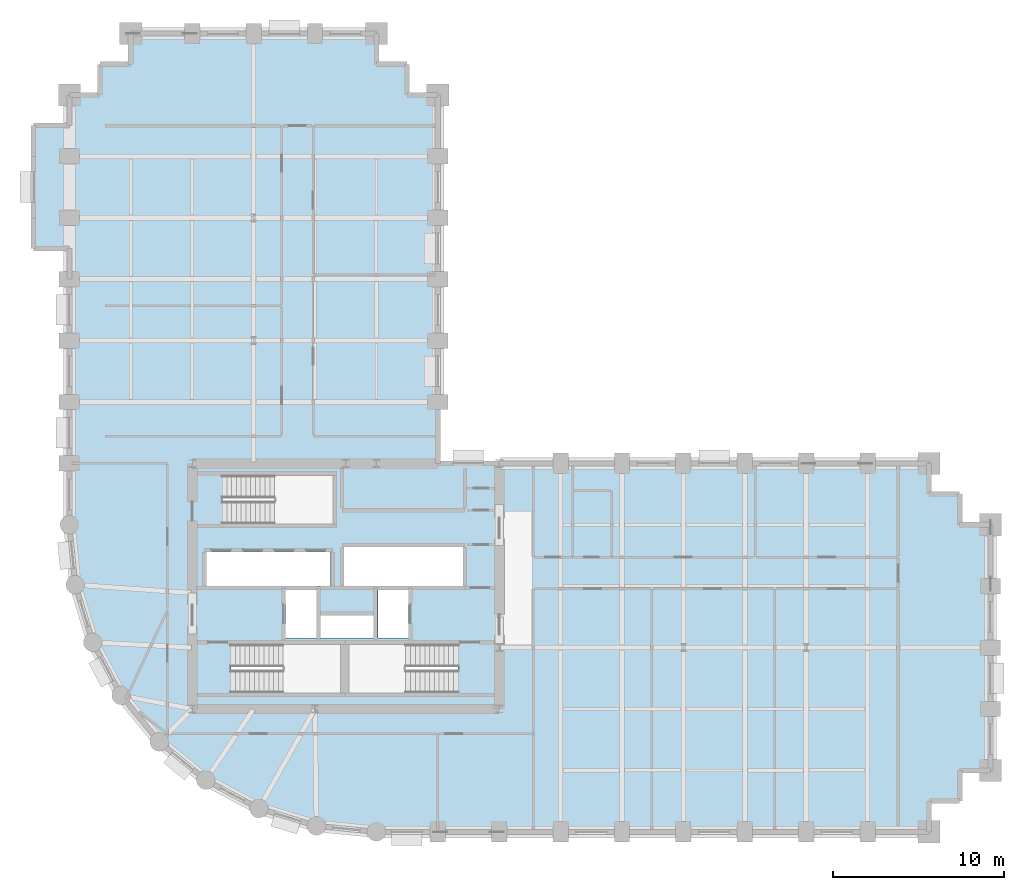
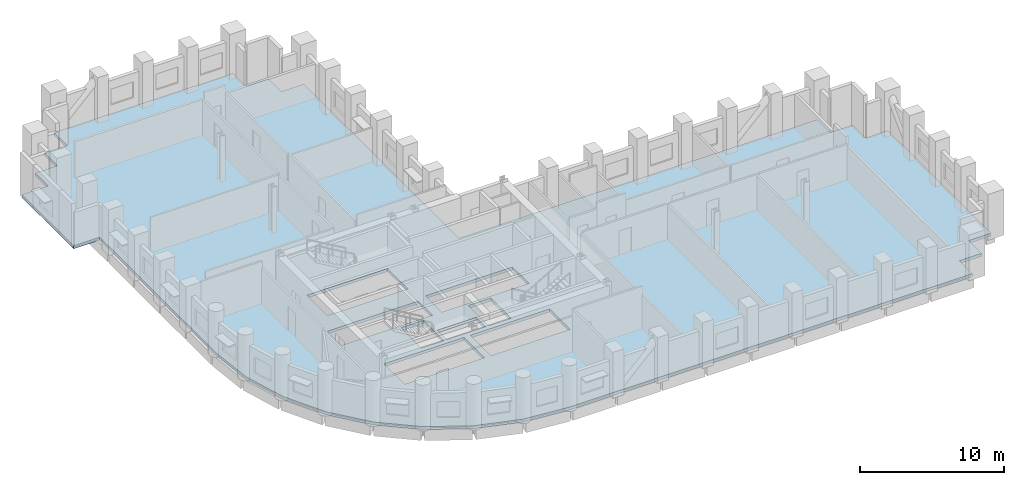
# One storey, part 4 of 11: 1 slab.
"""IFC4 building model written with IfcOpenShell, lengths in metres."""

from ifc_helpers import new_model, si_unit, direction, frame, origin, place, context, subcontext, project, spatial, polyline, outline, extrude, material, layer, layer_set, type_object, element, save


model = new_model("IFC4")

# Units and contexts
model_context = context("Model", 3, precision=1e-05, world=origin(), true_north=direction((0.0, 1.0)))
body_context = subcontext(model_context, "Body", "Model", "MODEL_VIEW")
ifc_project = project(units=[si_unit("LENGTHUNIT", "METRE"), si_unit("AREAUNIT", "SQUARE_METRE"), si_unit("VOLUMEUNIT", "CUBIC_METRE"), si_unit("PLANEANGLEUNIT", "RADIAN"), si_unit("MASSUNIT", "GRAM", prefix="KILO")], contexts=[model_context])

# Site, building, storey
site_placement = place(None, origin())
site = spatial("IfcSite", under=ifc_project, at=site_placement, CompositionType="ELEMENT")
building_placement = place(site_placement, origin())
building = spatial("IfcBuilding", under=site, at=building_placement, Name="Solnavia Interchange Tower", CompositionType="ELEMENT")
storey_placement = place(building_placement, frame((0.0, 0.0, 55.199951171875)))
storey = spatial("IfcBuildingStorey", under=building, at=storey_placement, Name="L13", CompositionType="ELEMENT", Elevation=55.199951171875)

# Slab
ifc_material = material(Name="Concrete C40/50", Category="concrete")
ifc_layer = layer(ifc_material, 0.25)
ifc_layer_set = layer_set([ifc_layer], Name="Concrete C40/50")
slab_type = type_object("IfcSlabType", Name="Slab-Tower-250", PredefinedType="FLOOR", material=ifc_layer_set)
slab_placement = place(storey_placement, frame((0.0, 0.0, -0.25)))
element("IfcSlab", 1, at=slab_placement, inside=storey, type_object=slab_type, Name="SLB-L13-01 Structural floor slab", PredefinedType="FLOOR", context=body_context, shape_type="SweptSolid", body=[
    extrude(outline(polyline([(25.199951171875, 3.60009765625), (57.60009765625, 3.60009765625), (57.60009765625, 5.39990234375), (59.39990234375, 5.39990234375), (59.39990234375, 7.199951171875), (61.199951171875, 7.199951171875), (61.199951171875, 21.60009765625), (59.39990234375, 21.60009765625), (59.39990234375, 23.39990234375), (57.60009765625, 23.39990234375), (57.60009765625, 25.199951171875), (28.800048828125, 25.199951171875), (28.800048828125, 46.800048828125), (27.0, 46.800048828125), (27.0, 48.60009765625), (25.199951171875, 48.60009765625), (25.199951171875, 50.39990234375), (10.800048828125, 50.39990234375), (10.800048828125, 48.60009765625), (9.0, 48.60009765625), (9.0, 46.800048828125), (7.199951171875, 46.800048828125), (7.199951171875, 45.0), (5.10009765625, 45.0), (5.10009765625, 37.800048828125), (7.199951171875, 37.800048828125), (7.199951171875, 21.60009765625), (7.5458984375, 18.087890625), (8.570068359375, 14.7119140625), (10.23388671875, 11.60009765625), (12.471923828125, 8.8720703125), (15.199951171875, 6.634033203125), (18.31201171875, 4.969970703125), (21.68798828125, 3.946044921875), (25.199951171875, 3.60009765625)]), holes=[polyline([(16.675048828125, 11.75), (23.10009765625, 11.75), (23.10009765625, 14.590087890625), (16.675048828125, 14.590087890625), (16.675048828125, 11.75)]), polyline([(23.60009765625, 11.75), (29.97509765625, 11.75), (29.97509765625, 14.590087890625), (23.60009765625, 14.590087890625), (23.60009765625, 11.75)]), polyline([(16.175048828125, 21.64990234375), (22.64990234375, 21.64990234375), (22.64990234375, 24.489990234375), (16.175048828125, 24.489990234375), (16.175048828125, 21.64990234375)]), polyline([(19.8798828125, 14.9599609375), (21.679931640625, 14.9599609375), (21.679931640625, 17.780029296875), (19.8798828125, 17.780029296875), (19.8798828125, 14.9599609375)]), polyline([(25.280029296875, 14.9599609375), (27.080078125, 14.9599609375), (27.080078125, 17.780029296875), (25.280029296875, 17.780029296875), (25.280029296875, 14.9599609375)]), polyline([(21.919921875, 14.9599609375), (25.02001953125, 14.9599609375), (25.02001953125, 16.280029296875), (21.919921875, 16.280029296875), (21.919921875, 14.9599609375)]), polyline([(15.219970703125, 18.02001953125), (22.52001953125, 18.02001953125), (22.52001953125, 20.0), (15.219970703125, 20.0), (15.219970703125, 18.02001953125)]), polyline([(23.300048828125, 18.02001953125), (30.280029296875, 18.02001953125), (30.280029296875, 20.300048828125), (23.300048828125, 20.300048828125), (23.300048828125, 18.02001953125)])]), origin(), (0.0, 0.0, 1.0), 0.25),
])

save(model, "model.ifc")
